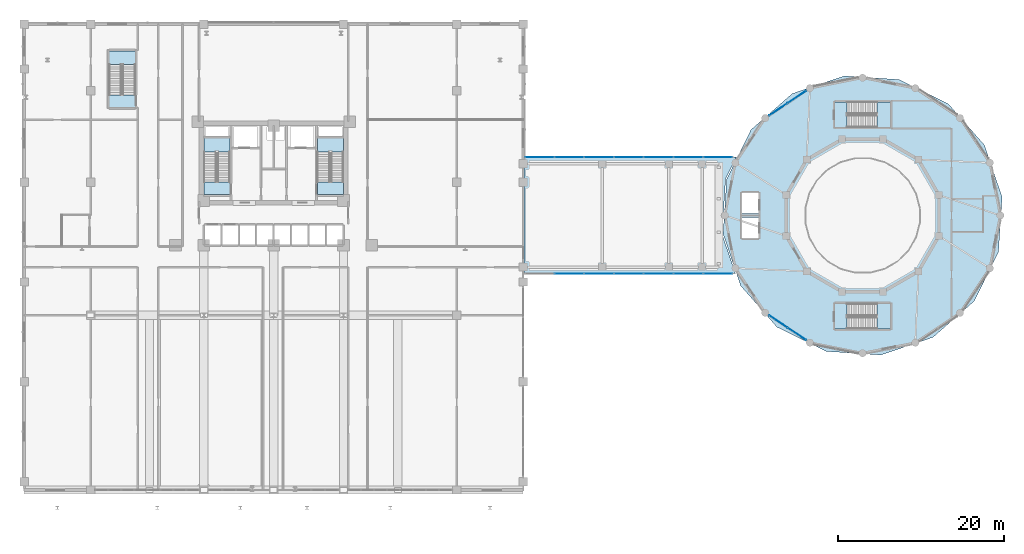
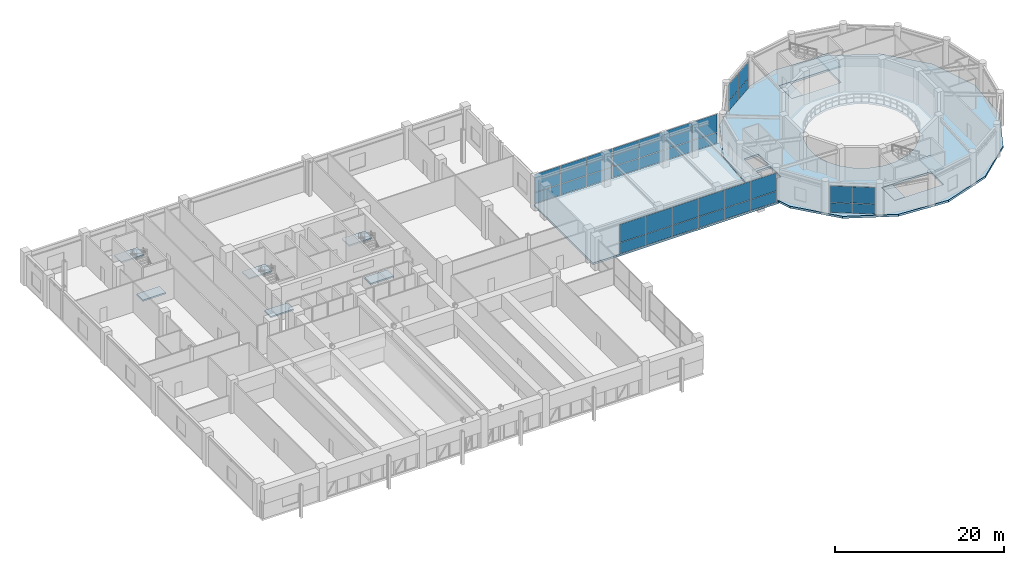
# One storey, part 29 of 44: 34 plates, 12 slabs, 9 elements without a shape of their own.
"""IFC4 building model written with IfcOpenShell, lengths in metres."""

from ifc_helpers import new_model, si_unit, derived_unit, direction, frame, origin, origin_2d, place, context, subcontext, project, spatial, polyline, rectangle, outline, extrude, source, transform, mapped, material, layer, layer_set, type_object, element, aggregate, save


model = new_model("IFC4")

# Units and contexts
model_context = context("Model", 3, precision=1e-05, world=origin(), true_north=direction((0.0, 1.0)))
body_context = subcontext(model_context, "Body", "Model", "MODEL_VIEW")
ifc_project = project(units=[si_unit("LENGTHUNIT", "METRE"), si_unit("AREAUNIT", "SQUARE_METRE"), si_unit("VOLUMEUNIT", "CUBIC_METRE"), si_unit("PLANEANGLEUNIT", "RADIAN"), si_unit("MASSUNIT", "GRAM", prefix="KILO"), derived_unit("THERMALTRANSMITTANCEUNIT", [(si_unit("POWERUNIT", "WATT"), 1), (si_unit("LENGTHUNIT", "METRE"), -2), (si_unit("THERMODYNAMICTEMPERATUREUNIT", "KELVIN"), -1)])], contexts=[model_context])

# Site, building, storey
site_placement = place(None, origin())
site = spatial("IfcSite", under=ifc_project, at=site_placement, CompositionType="ELEMENT")
building_placement = place(site_placement, origin())
building = spatial("IfcBuilding", under=site, at=building_placement, Name="Korsvarv Bourse and Concert Hall", CompositionType="ELEMENT")
storey_placement = place(building_placement, frame((0.0, 0.0, 9.60009765625)))
storey = spatial("IfcBuildingStorey", under=building, at=storey_placement, Name="L02", CompositionType="ELEMENT", Elevation=9.60009765625)

# Slabs
ifc_material_1 = material(Name="Concrete C45/55", Category="concrete")
ifc_layer_1 = layer(ifc_material_1, 0.300048828125)
ifc_layer_set_1 = layer_set([ifc_layer_1], Name="Concrete C45/55")
slab_type_1 = type_object("IfcSlabType", Name="SLB-CH0", PredefinedType="FLOOR", material=ifc_layer_set_1)
slab_1_placement = place(storey_placement, frame((0.0, 0.0, -0.300048828125)))
element("IfcSlab", 1, at=slab_1_placement, inside=storey, type_object=slab_type_1, Name="L02 Concert Hall floor slab", PredefinedType="FLOOR", context=body_context, shape_type="SweptSolid", body=[
    extrude(outline(polyline([(123.572509765625, 38.2080078125), (121.45068359375, 44.45849609375), (117.098388671875, 49.42138671875), (111.178466796875, 52.3408203125), (104.591796875, 52.7724609375), (98.34130859375, 50.650634765625), (93.378662109375, 46.298583984375), (90.459228515625, 40.37841796875), (90.027587890625, 33.7919921875), (92.1494140625, 27.54150390625), (96.50146484375, 22.57861328125), (102.42138671875, 19.6591796875), (109.008056640625, 19.2275390625), (115.258544921875, 21.349365234375), (120.22119140625, 25.701416015625), (123.140625, 31.62158203125), (123.572509765625, 38.2080078125)]), holes=[polyline([(103.449951171875, 46.60009765625), (110.14990234375, 46.60009765625), (110.14990234375, 49.659912109375), (103.449951171875, 49.659912109375), (103.449951171875, 46.60009765625)]), polyline([(103.449951171875, 22.340087890625), (110.14990234375, 22.340087890625), (110.14990234375, 25.39990234375), (103.449951171875, 25.39990234375), (103.449951171875, 22.340087890625)]), polyline([(92.320068359375, 36.219970703125), (94.280029296875, 36.219970703125), (94.280029296875, 38.679931640625), (92.320068359375, 38.679931640625), (92.320068359375, 36.219970703125)]), polyline([(92.320068359375, 33.320068359375), (94.280029296875, 33.320068359375), (94.280029296875, 35.780029296875), (92.320068359375, 35.780029296875), (92.320068359375, 33.320068359375)]), polyline([(113.58056640625, 36.892578125), (113.118408203125, 38.6171875), (112.225830078125, 40.163330078125), (110.96337890625, 41.42578125), (109.417236328125, 42.318359375), (107.692626953125, 42.780517578125), (105.9072265625, 42.780517578125), (104.182861328125, 42.318359375), (102.63671875, 41.42578125), (101.374267578125, 40.163330078125), (100.481689453125, 38.6171875), (100.01953125, 36.892578125), (100.01953125, 35.107421875), (100.481689453125, 33.3828125), (101.374267578125, 31.836669921875), (102.63671875, 30.57421875), (104.182861328125, 29.681640625), (105.9072265625, 29.219482421875), (107.692626953125, 29.219482421875), (109.417236328125, 29.681640625), (110.96337890625, 30.57421875), (112.225830078125, 31.836669921875), (113.118408203125, 33.3828125), (113.58056640625, 35.107421875), (113.58056640625, 36.892578125)])]), origin(), (0.0, 0.0, 1.0), 0.300048828125),
])
ifc_material_2 = material(Name="Precast concrete C45/55", Category="concrete")
ifc_layer_2 = layer(ifc_material_2, 0.199951171875)
ifc_layer_set_2 = layer_set([ifc_layer_2], Name="Precast concrete C45/55")
slab_type_2 = type_object("IfcSlabType", Name="SLB-FLND-T", PredefinedType="LANDING", material=ifc_layer_set_2)
slab_2_placement = place(storey_placement, frame((0.0, 0.0, -0.2001953125)))
element("IfcSlab", 2, at=slab_2_placement, inside=storey, type_object=slab_type_2, Name="L02 Stair ST-T1 Floor Landing Slab", PredefinedType="LANDING", context=body_context, shape_type="SweptSolid", body=[
    extrude(outline(polyline([(30.760009765625, 38.5), (30.760009765625, 40.0), (27.60009765625, 40.0), (27.60009765625, 38.5), (30.760009765625, 38.5)])), origin(), (0.0, 0.0, 1.0), 0.2001953125),
])
slab_3_placement = place(storey_placement, frame((0.0, 0.0, -0.2001953125)))
element("IfcSlab", 3, at=slab_3_placement, inside=storey, type_object=slab_type_2, Name="L02 Stair ST-T2 Floor Landing Slab", PredefinedType="LANDING", context=body_context, shape_type="SweptSolid", body=[
    extrude(outline(polyline([(44.39990234375, 38.5), (44.39990234375, 40.0), (41.239990234375, 40.0), (41.239990234375, 38.5), (44.39990234375, 38.5)])), origin(), (0.0, 0.0, 1.0), 0.2001953125),
])
slab_4_placement = place(storey_placement, frame((0.0, 0.0, -0.2001953125)))
element("IfcSlab", 4, at=slab_4_placement, inside=storey, type_object=slab_type_2, Name="L02 Stair ST-PD1 Floor Landing Slab", PredefinedType="LANDING", context=body_context, shape_type="SweptSolid", body=[
    extrude(outline(polyline([(19.360107421875, 49.0), (19.360107421875, 50.5), (16.199951171875, 50.5), (16.199951171875, 49.0), (19.360107421875, 49.0)])), origin(), (0.0, 0.0, 1.0), 0.2001953125),
])
slab_5_placement = place(storey_placement, frame((0.0, 0.0, -0.2001953125)))
element("IfcSlab", 5, at=slab_5_placement, inside=storey, type_object=slab_type_2, Name="L02 Stair ST-CH1 Floor Landing Slab", PredefinedType="LANDING", context=body_context, shape_type="SweptSolid", body=[
    extrude(outline(polyline([(103.449951171875, 46.60009765625), (104.89990234375, 46.60009765625), (104.89990234375, 49.659912109375), (103.449951171875, 49.659912109375), (103.449951171875, 46.60009765625)])), origin(), (0.0, 0.0, 1.0), 0.2001953125),
])
slab_6_placement = place(storey_placement, frame((0.0, 0.0, -0.2001953125)))
element("IfcSlab", 6, at=slab_6_placement, inside=storey, type_object=slab_type_2, Name="L02 Stair ST-CH2 Floor Landing Slab", PredefinedType="LANDING", context=body_context, shape_type="SweptSolid", body=[
    extrude(outline(polyline([(103.449951171875, 22.340087890625), (104.89990234375, 22.340087890625), (104.89990234375, 25.39990234375), (103.449951171875, 25.39990234375), (103.449951171875, 22.340087890625)])), origin(), (0.0, 0.0, 1.0), 0.2001953125),
])
ifc_layer_3 = layer(ifc_material_1, 0.260009765625)
ifc_layer_set_3 = layer_set([ifc_layer_3], Name="Concrete C45/55")
slab_type_3 = type_object("IfcSlabType", Name="SLB-LNK", PredefinedType="FLOOR", material=ifc_layer_set_3)
slab_7_placement = place(storey_placement, frame((0.0, 0.0, -0.260009765625)))
element("IfcSlab", 7, at=slab_7_placement, inside=storey, type_object=slab_type_3, Name="L02 podium link gallery slab", PredefinedType="FLOOR", context=body_context, shape_type="SweptSolid", body=[
    extrude(outline(polyline([(66.110107421875, 29.0), (66.110107421875, 43.0), (91.618408203125, 43.0), (90.351806640625, 40.431640625), (90.346923828125, 40.4208984375), (90.343505859375, 40.40966796875), (90.3408203125, 40.39794921875), (90.339599609375, 40.38623046875), (89.907958984375, 33.7998046875), (89.90771484375, 33.7880859375), (89.90869140625, 33.776123046875), (89.91064453125, 33.7646484375), (89.9140625, 33.75341796875), (91.527587890625, 29.0), (66.110107421875, 29.0)])), origin(), (0.0, 0.0, 1.0), 0.260009765625),
])

# Stair, slab
stair_type_1 = type_object("IfcStairType", Name="STR-TYPE-02", PredefinedType="HALF_TURN_STAIR", material=ifc_material_2)
stair_1_placement = place(storey_placement, origin())
stair_1 = element("IfcStair", 8, at=stair_1_placement, inside=storey, type_object=stair_type_1, Name="L02 Tower West Exit Stair ST-T1", PredefinedType="HALF_TURN_STAIR")
ifc_layer_4 = layer(ifc_material_2, 0.199951171875)
ifc_layer_set_4 = layer_set([ifc_layer_4], Name="Precast concrete C45/55")
slab_type_4 = type_object("IfcSlabType", Name="SLB-ST-LND", PredefinedType="LANDING", material=ifc_layer_set_4)
slab_8_placement = place(storey_placement, frame((0.0, 0.0, 2.199951171875)))
slab_8 = element("IfcSlab", 9, at=slab_8_placement, type_object=slab_type_4, Name="ST-T1 landing 1", PredefinedType="LANDING", context=body_context, shape_type="SweptSolid", body=[
    extrude(outline(polyline([(30.760009765625, 43.639892578125), (30.760009765625, 45.300048828125), (27.60009765625, 45.300048828125), (27.60009765625, 43.639892578125), (30.760009765625, 43.639892578125)])), origin(), (0.0, 0.0, 1.0), 0.199951171875),
])
aggregate(stair_1, [slab_8])

stair_2_placement = place(storey_placement, origin())
stair_2 = element("IfcStair", 10, at=stair_2_placement, inside=storey, type_object=stair_type_1, Name="L02 Tower East Exit Stair ST-T2", PredefinedType="HALF_TURN_STAIR")
slab_9_placement = place(storey_placement, frame((0.0, 0.0, 2.199951171875)))
slab_9 = element("IfcSlab", 11, at=slab_9_placement, type_object=slab_type_4, Name="ST-T2 landing 1", PredefinedType="LANDING", context=body_context, shape_type="SweptSolid", body=[
    extrude(outline(polyline([(44.39990234375, 43.639892578125), (44.39990234375, 45.300048828125), (41.239990234375, 45.300048828125), (41.239990234375, 43.639892578125), (44.39990234375, 43.639892578125)])), origin(), (0.0, 0.0, 1.0), 0.199951171875),
])
aggregate(stair_2, [slab_9])

stair_3_placement = place(storey_placement, origin())
stair_3 = element("IfcStair", 12, at=stair_3_placement, inside=storey, type_object=stair_type_1, Name="L02 Exchange Podium Grand Stair ST-PD1", PredefinedType="HALF_TURN_STAIR")
slab_10_placement = place(storey_placement, frame((0.0, 0.0, 2.199951171875)))
slab_10 = element("IfcSlab", 13, at=slab_10_placement, type_object=slab_type_4, Name="ST-PD1 landing 1", PredefinedType="LANDING", context=body_context, shape_type="SweptSolid", body=[
    extrude(outline(polyline([(19.360107421875, 54.139892578125), (19.360107421875, 55.800048828125), (16.199951171875, 55.800048828125), (16.199951171875, 54.139892578125), (19.360107421875, 54.139892578125)])), origin(), (0.0, 0.0, 1.0), 0.199951171875),
])
aggregate(stair_3, [slab_10])

stair_type_2 = type_object("IfcStairType", Name="STR-TYPE-07", PredefinedType="HALF_TURN_STAIR", material=ifc_material_2)
stair_4_placement = place(storey_placement, origin())
stair_4 = element("IfcStair", 14, at=stair_4_placement, inside=storey, type_object=stair_type_2, Name="L02 Concert Hall North Exit Stair ST-CH1", PredefinedType="HALF_TURN_STAIR")
slab_11_placement = place(storey_placement, frame((0.0, 0.0, 2.199951171875)))
slab_11 = element("IfcSlab", 15, at=slab_11_placement, type_object=slab_type_4, Name="ST-CH1 landing 1", PredefinedType="LANDING", context=body_context, shape_type="SweptSolid", body=[
    extrude(outline(polyline([(108.5400390625, 46.60009765625), (110.14990234375, 46.60009765625), (110.14990234375, 49.659912109375), (108.5400390625, 49.659912109375), (108.5400390625, 46.60009765625)])), origin(), (0.0, 0.0, 1.0), 0.199951171875),
])
aggregate(stair_4, [slab_11])

stair_5_placement = place(storey_placement, origin())
stair_5 = element("IfcStair", 16, at=stair_5_placement, inside=storey, type_object=stair_type_2, Name="L02 Concert Hall South Exit Stair ST-CH2", PredefinedType="HALF_TURN_STAIR")
slab_12_placement = place(storey_placement, frame((0.0, 0.0, 2.199951171875)))
slab_12 = element("IfcSlab", 17, at=slab_12_placement, type_object=slab_type_4, Name="ST-CH2 landing 1", PredefinedType="LANDING", context=body_context, shape_type="SweptSolid", body=[
    extrude(outline(polyline([(108.5400390625, 22.340087890625), (110.14990234375, 22.340087890625), (110.14990234375, 25.39990234375), (108.5400390625, 25.39990234375), (108.5400390625, 22.340087890625)])), origin(), (0.0, 0.0, 1.0), 0.199951171875),
])
aggregate(stair_5, [slab_12])

# Curtain wall, plates
ifc_material_3 = material(Name="Anodised aluminium and triple low-E glazing", Category="glass")
ifc_layer_5 = layer(ifc_material_3, 0.22998046875)
ifc_layer_set_5 = layer_set([ifc_layer_5], Name="Anodised aluminium and triple low-E glazing")
curtain_wall_type_1 = type_object("IfcCurtainWallType", Name="CW-SYS-6", PredefinedType="NOTDEFINED", material=ifc_layer_set_5)
curtain_wall_1_placement = place(storey_placement, origin())
curtain_wall_1 = element("IfcCurtainWall", 18, at=curtain_wall_1_placement, inside=storey, type_object=curtain_wall_type_1, Name="L02 CW6 curtain wall CW-L02-CH06", PredefinedType="NOTDEFINED")
ifc_material_4 = material(Name="Tempered triple insulated low-E architectural glass", Category="glass")
ifc_layer_6 = layer(ifc_material_4, 0.0380859375)
ifc_layer_set_6 = layer_set([ifc_layer_6], Name="Tempered triple insulated low-E architectural glass")
plate_type_1 = type_object("IfcPlateType", Name="CWP-VIS2", PredefinedType="CURTAIN_PANEL", material=ifc_layer_set_6)
shared_shape_1 = source(origin(), body_context, "Body", "SweptSolid", [
    extrude(rectangle(XDim=2.62353515625, YDim=0.0380859375, at=origin_2d()), origin(), (0.0, 0.0, 1.0), 1.403564453125),
])
plate_1_placement = place(storey_placement, frame((98.90185546875, 50.24462890625, 0.06494140625), z_axis=(0.0, 0.0, 1.0), x_axis=(-0.831469083386, -0.555571024599, 0.0)))
plate_1 = element("IfcPlate", 19, at=plate_1_placement, type_object=plate_type_1, Name="CW6 panel 1.1", PredefinedType="CURTAIN_PANEL", context=body_context, shape_type="MappedRepresentation", body=[
    mapped(shared_shape_1, transform((0.0, 0.0, 0.0), scale=1.0)),
])
plate_2_placement = place(storey_placement, frame((96.662109375, 48.748291015625, 0.06494140625), z_axis=(0.0, 0.0, 1.0), x_axis=(-0.831469083386, -0.555571024599, 0.0)))
plate_2 = element("IfcPlate", 20, at=plate_2_placement, type_object=plate_type_1, Name="CW6 panel 2.1", PredefinedType="CURTAIN_PANEL", context=body_context, shape_type="MappedRepresentation", body=[
    mapped(shared_shape_1, transform((0.0, 0.0, 0.0), scale=1.0)),
])

curtain_wall_2_placement = place(storey_placement, origin())
curtain_wall_2 = element("IfcCurtainWall", 21, at=curtain_wall_2_placement, inside=storey, type_object=curtain_wall_type_1, Name="L02 CW6 curtain wall CW-L02-CH11", PredefinedType="NOTDEFINED")
plate_3_placement = place(storey_placement, frame((96.662109375, 23.251708984375, 0.06494140625), z_axis=(0.0, 0.0, 1.0), x_axis=(0.831469083386, -0.555571024599, 0.0)))
plate_3 = element("IfcPlate", 22, at=plate_3_placement, type_object=plate_type_1, Name="CW6 panel 1.1", PredefinedType="CURTAIN_PANEL", context=body_context, shape_type="MappedRepresentation", body=[
    mapped(shared_shape_1, transform((0.0, 0.0, 0.0), scale=1.0)),
])
plate_4_placement = place(storey_placement, frame((98.90185546875, 21.75537109375, 0.06494140625), z_axis=(0.0, 0.0, 1.0), x_axis=(0.831469083386, -0.555571024599, 0.0)))
plate_4 = element("IfcPlate", 23, at=plate_4_placement, type_object=plate_type_1, Name="CW6 panel 2.1", PredefinedType="CURTAIN_PANEL", context=body_context, shape_type="MappedRepresentation", body=[
    mapped(shared_shape_1, transform((0.0, 0.0, 0.0), scale=1.0)),
])

# Plate
shared_shape_2 = source(origin(), body_context, "Body", "SweptSolid", [
    extrude(rectangle(XDim=2.62353515625, YDim=0.0380859375, at=origin_2d()), origin(), (0.0, 0.0, 1.0), 2.3515625),
])
plate_5_placement = place(storey_placement, frame((98.90185546875, 50.24462890625, 1.533447265625), z_axis=(0.0, 0.0, 1.0), x_axis=(-0.831469083386, -0.555571024599, 0.0)))
plate_5 = element("IfcPlate", 24, at=plate_5_placement, type_object=plate_type_1, Name="CW6 panel 1.2", PredefinedType="CURTAIN_PANEL", context=body_context, shape_type="MappedRepresentation", body=[
    mapped(shared_shape_2, transform((0.0, 0.0, 0.0), scale=1.0)),
])

plate_6_placement = place(storey_placement, frame((96.662109375, 48.748291015625, 1.533447265625), z_axis=(0.0, 0.0, 1.0), x_axis=(-0.831469083386, -0.555571024599, 0.0)))
plate_6 = element("IfcPlate", 25, at=plate_6_placement, type_object=plate_type_1, Name="CW6 panel 2.2", PredefinedType="CURTAIN_PANEL", context=body_context, shape_type="MappedRepresentation", body=[
    mapped(shared_shape_2, transform((0.0, 0.0, 0.0), scale=1.0)),
])

aggregate(curtain_wall_1, [plate_1, plate_5, plate_2, plate_6])

plate_7_placement = place(storey_placement, frame((96.662109375, 23.251708984375, 1.533447265625), z_axis=(0.0, 0.0, 1.0), x_axis=(0.831469083386, -0.555571024599, 0.0)))
plate_7 = element("IfcPlate", 26, at=plate_7_placement, type_object=plate_type_1, Name="CW6 panel 1.2", PredefinedType="CURTAIN_PANEL", context=body_context, shape_type="MappedRepresentation", body=[
    mapped(shared_shape_2, transform((0.0, 0.0, 0.0), scale=1.0)),
])

plate_8_placement = place(storey_placement, frame((98.90185546875, 21.75537109375, 1.533447265625), z_axis=(0.0, 0.0, 1.0), x_axis=(0.831469083386, -0.555571024599, 0.0)))
plate_8 = element("IfcPlate", 27, at=plate_8_placement, type_object=plate_type_1, Name="CW6 panel 2.2", PredefinedType="CURTAIN_PANEL", context=body_context, shape_type="MappedRepresentation", body=[
    mapped(shared_shape_2, transform((0.0, 0.0, 0.0), scale=1.0)),
])

aggregate(curtain_wall_2, [plate_3, plate_7, plate_4, plate_8])

# Curtain wall, plate
ifc_layer_7 = layer(ifc_material_3, 0.239990234375)
ifc_layer_set_7 = layer_set([ifc_layer_7], Name="Anodised aluminium and triple low-E glazing")
curtain_wall_type_2 = type_object("IfcCurtainWallType", Name="CW-SYS-5", PredefinedType="NOTDEFINED", material=ifc_layer_set_7)
curtain_wall_3_placement = place(storey_placement, origin())
curtain_wall_3 = element("IfcCurtainWall", 28, at=curtain_wall_3_placement, inside=storey, type_object=curtain_wall_type_2, Name="L02 CW5 curtain wall CW-L02-LKS", PredefinedType="NOTDEFINED")
ifc_layer_8 = layer(ifc_material_4, 0.035888671875)
ifc_layer_set_8 = layer_set([ifc_layer_8], Name="Tempered triple insulated low-E architectural glass")
plate_type_2 = type_object("IfcPlateType", Name="CWP-VIS1", PredefinedType="CURTAIN_PANEL", material=ifc_layer_set_8)
shared_shape_3 = source(origin(), body_context, "Body", "SweptSolid", [
    extrude(rectangle(XDim=3.47509765625, YDim=0.035888671875, at=origin_2d()), origin(), (0.0, 0.0, 1.0), 1.555419921875),
])
plate_9_placement = place(storey_placement, frame((89.41259765625, 29.0, 0.06494140625), z_axis=(0.0, 0.0, 1.0), x_axis=(1.0, 0.0, 0.0)))
plate_9 = element("IfcPlate", 29, at=plate_9_placement, type_object=plate_type_2, Name="CW5 panel 7.1", PredefinedType="CURTAIN_PANEL", context=body_context, shape_type="MappedRepresentation", body=[
    mapped(shared_shape_3, transform((0.0, 0.0, 0.0), scale=1.0)),
])

# Curtain wall, plates
curtain_wall_4_placement = place(storey_placement, origin())
curtain_wall_4 = element("IfcCurtainWall", 30, at=curtain_wall_4_placement, inside=storey, type_object=curtain_wall_type_2, Name="L02 CW5 curtain wall CW-L02-LKN", PredefinedType="NOTDEFINED")
plate_10_placement = place(storey_placement, frame((67.967529296875, 43.0, 0.06494140625), z_axis=(0.0, 0.0, 1.0), x_axis=(1.0, 0.0, 0.0)))
plate_10 = element("IfcPlate", 31, at=plate_10_placement, type_object=plate_type_2, Name="CW5 panel 1.1", PredefinedType="CURTAIN_PANEL", context=body_context, shape_type="MappedRepresentation", body=[
    mapped(shared_shape_3, transform((0.0, 0.0, 0.0), scale=1.0)),
])
plate_11_placement = place(storey_placement, frame((89.41259765625, 43.0, 0.06494140625), z_axis=(0.0, 0.0, 1.0), x_axis=(1.0, 0.0, 0.0)))
plate_11 = element("IfcPlate", 32, at=plate_11_placement, type_object=plate_type_2, Name="CW5 panel 7.1", PredefinedType="CURTAIN_PANEL", context=body_context, shape_type="MappedRepresentation", body=[
    mapped(shared_shape_3, transform((0.0, 0.0, 0.0), scale=1.0)),
])

# Plate
shared_shape_4 = source(origin(), body_context, "Body", "SweptSolid", [
    extrude(rectangle(XDim=3.47509765625, YDim=0.035888671875, at=origin_2d()), origin(), (0.0, 0.0, 1.0), 2.599609375),
])
plate_12_placement = place(storey_placement, frame((89.41259765625, 29.0, 1.685302734375), z_axis=(0.0, 0.0, 1.0), x_axis=(1.0, 0.0, 0.0)))
plate_12 = element("IfcPlate", 33, at=plate_12_placement, type_object=plate_type_2, Name="CW5 panel 7.2", PredefinedType="CURTAIN_PANEL", context=body_context, shape_type="MappedRepresentation", body=[
    mapped(shared_shape_4, transform((0.0, 0.0, 0.0), scale=1.0)),
])

plate_13_placement = place(storey_placement, frame((67.967529296875, 43.0, 1.685302734375), z_axis=(0.0, 0.0, 1.0), x_axis=(1.0, 0.0, 0.0)))
plate_13 = element("IfcPlate", 34, at=plate_13_placement, type_object=plate_type_2, Name="CW5 panel 1.2", PredefinedType="CURTAIN_PANEL", context=body_context, shape_type="MappedRepresentation", body=[
    mapped(shared_shape_4, transform((0.0, 0.0, 0.0), scale=1.0)),
])

plate_14_placement = place(storey_placement, frame((89.41259765625, 43.0, 1.685302734375), z_axis=(0.0, 0.0, 1.0), x_axis=(1.0, 0.0, 0.0)))
plate_14 = element("IfcPlate", 35, at=plate_14_placement, type_object=plate_type_2, Name="CW5 panel 7.2", PredefinedType="CURTAIN_PANEL", context=body_context, shape_type="MappedRepresentation", body=[
    mapped(shared_shape_4, transform((0.0, 0.0, 0.0), scale=1.0)),
])

shared_shape_5 = source(origin(), body_context, "Body", "SweptSolid", [
    extrude(rectangle(XDim=3.510009765625, YDim=0.035888671875, at=origin_2d()), origin(), (0.0, 0.0, 1.0), 1.555419921875),
])
plate_15_placement = place(storey_placement, frame((71.530029296875, 29.0, 0.06494140625), z_axis=(0.0, 0.0, 1.0), x_axis=(1.0, 0.0, 0.0)))
plate_15 = element("IfcPlate", 36, at=plate_15_placement, type_object=plate_type_2, Name="CW5 panel 2.1", PredefinedType="CURTAIN_PANEL", context=body_context, shape_type="MappedRepresentation", body=[
    mapped(shared_shape_5, transform((0.0, 0.0, 0.0), scale=1.0)),
])

plate_16_placement = place(storey_placement, frame((75.110107421875, 29.0, 0.06494140625), z_axis=(0.0, 0.0, 1.0), x_axis=(1.0, 0.0, 0.0)))
plate_16 = element("IfcPlate", 37, at=plate_16_placement, type_object=plate_type_2, Name="CW5 panel 3.1", PredefinedType="CURTAIN_PANEL", context=body_context, shape_type="MappedRepresentation", body=[
    mapped(shared_shape_5, transform((0.0, 0.0, 0.0), scale=1.0)),
])

plate_17_placement = place(storey_placement, frame((78.68994140625, 29.0, 0.06494140625), z_axis=(0.0, 0.0, 1.0), x_axis=(1.0, 0.0, 0.0)))
plate_17 = element("IfcPlate", 38, at=plate_17_placement, type_object=plate_type_2, Name="CW5 panel 4.1", PredefinedType="CURTAIN_PANEL", context=body_context, shape_type="MappedRepresentation", body=[
    mapped(shared_shape_5, transform((0.0, 0.0, 0.0), scale=1.0)),
])

plate_18_placement = place(storey_placement, frame((82.27001953125, 29.0, 0.06494140625), z_axis=(0.0, 0.0, 1.0), x_axis=(1.0, 0.0, 0.0)))
plate_18 = element("IfcPlate", 39, at=plate_18_placement, type_object=plate_type_2, Name="CW5 panel 5.1", PredefinedType="CURTAIN_PANEL", context=body_context, shape_type="MappedRepresentation", body=[
    mapped(shared_shape_5, transform((0.0, 0.0, 0.0), scale=1.0)),
])

plate_19_placement = place(storey_placement, frame((85.85009765625, 29.0, 0.06494140625), z_axis=(0.0, 0.0, 1.0), x_axis=(1.0, 0.0, 0.0)))
plate_19 = element("IfcPlate", 40, at=plate_19_placement, type_object=plate_type_2, Name="CW5 panel 6.1", PredefinedType="CURTAIN_PANEL", context=body_context, shape_type="MappedRepresentation", body=[
    mapped(shared_shape_5, transform((0.0, 0.0, 0.0), scale=1.0)),
])

plate_20_placement = place(storey_placement, frame((71.530029296875, 43.0, 0.06494140625), z_axis=(0.0, 0.0, 1.0), x_axis=(1.0, 0.0, 0.0)))
plate_20 = element("IfcPlate", 41, at=plate_20_placement, type_object=plate_type_2, Name="CW5 panel 2.1", PredefinedType="CURTAIN_PANEL", context=body_context, shape_type="MappedRepresentation", body=[
    mapped(shared_shape_5, transform((0.0, 0.0, 0.0), scale=1.0)),
])

plate_21_placement = place(storey_placement, frame((75.110107421875, 43.0, 0.06494140625), z_axis=(0.0, 0.0, 1.0), x_axis=(1.0, 0.0, 0.0)))
plate_21 = element("IfcPlate", 42, at=plate_21_placement, type_object=plate_type_2, Name="CW5 panel 3.1", PredefinedType="CURTAIN_PANEL", context=body_context, shape_type="MappedRepresentation", body=[
    mapped(shared_shape_5, transform((0.0, 0.0, 0.0), scale=1.0)),
])

plate_22_placement = place(storey_placement, frame((78.68994140625, 43.0, 0.06494140625), z_axis=(0.0, 0.0, 1.0), x_axis=(1.0, 0.0, 0.0)))
plate_22 = element("IfcPlate", 43, at=plate_22_placement, type_object=plate_type_2, Name="CW5 panel 4.1", PredefinedType="CURTAIN_PANEL", context=body_context, shape_type="MappedRepresentation", body=[
    mapped(shared_shape_5, transform((0.0, 0.0, 0.0), scale=1.0)),
])

plate_23_placement = place(storey_placement, frame((82.27001953125, 43.0, 0.06494140625), z_axis=(0.0, 0.0, 1.0), x_axis=(1.0, 0.0, 0.0)))
plate_23 = element("IfcPlate", 44, at=plate_23_placement, type_object=plate_type_2, Name="CW5 panel 5.1", PredefinedType="CURTAIN_PANEL", context=body_context, shape_type="MappedRepresentation", body=[
    mapped(shared_shape_5, transform((0.0, 0.0, 0.0), scale=1.0)),
])

plate_24_placement = place(storey_placement, frame((85.85009765625, 43.0, 0.06494140625), z_axis=(0.0, 0.0, 1.0), x_axis=(1.0, 0.0, 0.0)))
plate_24 = element("IfcPlate", 45, at=plate_24_placement, type_object=plate_type_2, Name="CW5 panel 6.1", PredefinedType="CURTAIN_PANEL", context=body_context, shape_type="MappedRepresentation", body=[
    mapped(shared_shape_5, transform((0.0, 0.0, 0.0), scale=1.0)),
])

shared_shape_6 = source(origin(), body_context, "Body", "SweptSolid", [
    extrude(rectangle(XDim=3.510009765625, YDim=0.035888671875, at=origin_2d()), origin(), (0.0, 0.0, 1.0), 2.599609375),
])
plate_25_placement = place(storey_placement, frame((71.530029296875, 29.0, 1.685302734375), z_axis=(0.0, 0.0, 1.0), x_axis=(1.0, 0.0, 0.0)))
plate_25 = element("IfcPlate", 46, at=plate_25_placement, type_object=plate_type_2, Name="CW5 panel 2.2", PredefinedType="CURTAIN_PANEL", context=body_context, shape_type="MappedRepresentation", body=[
    mapped(shared_shape_6, transform((0.0, 0.0, 0.0), scale=1.0)),
])

plate_26_placement = place(storey_placement, frame((75.110107421875, 29.0, 1.685302734375), z_axis=(0.0, 0.0, 1.0), x_axis=(1.0, 0.0, 0.0)))
plate_26 = element("IfcPlate", 47, at=plate_26_placement, type_object=plate_type_2, Name="CW5 panel 3.2", PredefinedType="CURTAIN_PANEL", context=body_context, shape_type="MappedRepresentation", body=[
    mapped(shared_shape_6, transform((0.0, 0.0, 0.0), scale=1.0)),
])

plate_27_placement = place(storey_placement, frame((78.68994140625, 29.0, 1.685302734375), z_axis=(0.0, 0.0, 1.0), x_axis=(1.0, 0.0, 0.0)))
plate_27 = element("IfcPlate", 48, at=plate_27_placement, type_object=plate_type_2, Name="CW5 panel 4.2", PredefinedType="CURTAIN_PANEL", context=body_context, shape_type="MappedRepresentation", body=[
    mapped(shared_shape_6, transform((0.0, 0.0, 0.0), scale=1.0)),
])

plate_28_placement = place(storey_placement, frame((82.27001953125, 29.0, 1.685302734375), z_axis=(0.0, 0.0, 1.0), x_axis=(1.0, 0.0, 0.0)))
plate_28 = element("IfcPlate", 49, at=plate_28_placement, type_object=plate_type_2, Name="CW5 panel 5.2", PredefinedType="CURTAIN_PANEL", context=body_context, shape_type="MappedRepresentation", body=[
    mapped(shared_shape_6, transform((0.0, 0.0, 0.0), scale=1.0)),
])

plate_29_placement = place(storey_placement, frame((85.85009765625, 29.0, 1.685302734375), z_axis=(0.0, 0.0, 1.0), x_axis=(1.0, 0.0, 0.0)))
plate_29 = element("IfcPlate", 50, at=plate_29_placement, type_object=plate_type_2, Name="CW5 panel 6.2", PredefinedType="CURTAIN_PANEL", context=body_context, shape_type="MappedRepresentation", body=[
    mapped(shared_shape_6, transform((0.0, 0.0, 0.0), scale=1.0)),
])

aggregate(curtain_wall_3, [plate_15, plate_25, plate_16, plate_26, plate_17, plate_27, plate_18, plate_28, plate_19, plate_29, plate_9, plate_12])

plate_30_placement = place(storey_placement, frame((71.530029296875, 43.0, 1.685302734375), z_axis=(0.0, 0.0, 1.0), x_axis=(1.0, 0.0, 0.0)))
plate_30 = element("IfcPlate", 51, at=plate_30_placement, type_object=plate_type_2, Name="CW5 panel 2.2", PredefinedType="CURTAIN_PANEL", context=body_context, shape_type="MappedRepresentation", body=[
    mapped(shared_shape_6, transform((0.0, 0.0, 0.0), scale=1.0)),
])

plate_31_placement = place(storey_placement, frame((75.110107421875, 43.0, 1.685302734375), z_axis=(0.0, 0.0, 1.0), x_axis=(1.0, 0.0, 0.0)))
plate_31 = element("IfcPlate", 52, at=plate_31_placement, type_object=plate_type_2, Name="CW5 panel 3.2", PredefinedType="CURTAIN_PANEL", context=body_context, shape_type="MappedRepresentation", body=[
    mapped(shared_shape_6, transform((0.0, 0.0, 0.0), scale=1.0)),
])

plate_32_placement = place(storey_placement, frame((78.68994140625, 43.0, 1.685302734375), z_axis=(0.0, 0.0, 1.0), x_axis=(1.0, 0.0, 0.0)))
plate_32 = element("IfcPlate", 53, at=plate_32_placement, type_object=plate_type_2, Name="CW5 panel 4.2", PredefinedType="CURTAIN_PANEL", context=body_context, shape_type="MappedRepresentation", body=[
    mapped(shared_shape_6, transform((0.0, 0.0, 0.0), scale=1.0)),
])

plate_33_placement = place(storey_placement, frame((82.27001953125, 43.0, 1.685302734375), z_axis=(0.0, 0.0, 1.0), x_axis=(1.0, 0.0, 0.0)))
plate_33 = element("IfcPlate", 54, at=plate_33_placement, type_object=plate_type_2, Name="CW5 panel 5.2", PredefinedType="CURTAIN_PANEL", context=body_context, shape_type="MappedRepresentation", body=[
    mapped(shared_shape_6, transform((0.0, 0.0, 0.0), scale=1.0)),
])

plate_34_placement = place(storey_placement, frame((85.85009765625, 43.0, 1.685302734375), z_axis=(0.0, 0.0, 1.0), x_axis=(1.0, 0.0, 0.0)))
plate_34 = element("IfcPlate", 55, at=plate_34_placement, type_object=plate_type_2, Name="CW5 panel 6.2", PredefinedType="CURTAIN_PANEL", context=body_context, shape_type="MappedRepresentation", body=[
    mapped(shared_shape_6, transform((0.0, 0.0, 0.0), scale=1.0)),
])

aggregate(curtain_wall_4, [plate_10, plate_13, plate_20, plate_30, plate_21, plate_31, plate_22, plate_32, plate_23, plate_33, plate_24, plate_34, plate_11, plate_14])

save(model, "model.ifc")
